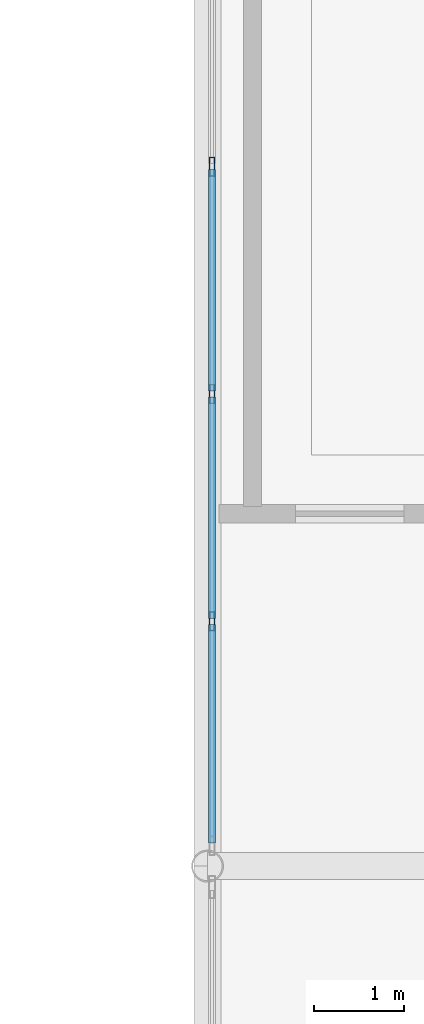
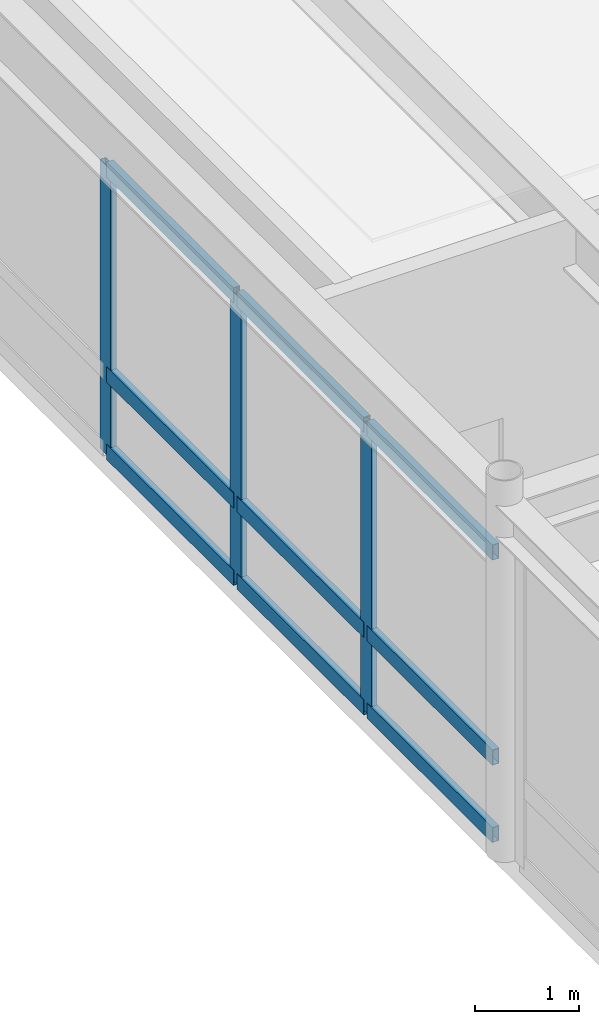
# One storey, part 74 of 127: 12 members, 1 element without a shape of its own.
"""IFC4 building model written with IfcOpenShell, lengths in metres."""

from ifc_helpers import new_model, si_unit, direction, frame, origin, origin_2d, place, context, subcontext, project, spatial, hollow_rectangle, extrude, material, layer, layer_set, material_profile, profile_set, type_object, element, aggregate, save


model = new_model("IFC4")

# Units and contexts
model_context = context("Model", 3, precision=1e-05, world=origin(), true_north=direction((0.0, 1.0)))
body_context = subcontext(model_context, "Body", "Model", "MODEL_VIEW")
ifc_project = project(units=[si_unit("LENGTHUNIT", "METRE"), si_unit("AREAUNIT", "SQUARE_METRE"), si_unit("VOLUMEUNIT", "CUBIC_METRE"), si_unit("PLANEANGLEUNIT", "RADIAN"), si_unit("MASSUNIT", "GRAM", prefix="KILO")], contexts=[model_context])

# Site, building, storey
site_placement = place(None, origin())
site = spatial("IfcSite", under=ifc_project, at=site_placement, CompositionType="ELEMENT")
building_placement = place(site_placement, origin())
building = spatial("IfcBuilding", under=site, at=building_placement, Name="Montelvaro Courts of Justice", CompositionType="ELEMENT")
storey_placement = place(building_placement, frame((0.0, 0.0, 5.39990234375)))
storey = spatial("IfcBuildingStorey", under=building, at=storey_placement, Name="L01", CompositionType="ELEMENT", Elevation=5.39990234375)

# Curtain wall, members
ifc_material = material(Name="Anodised aluminium EN AW-6063", Category="aluminium")
ifc_layer = layer(ifc_material, 0.159912109375)
ifc_layer_set = layer_set([ifc_layer], Name="Anodised aluminium EN AW-6063")
curtain_wall_type = type_object("IfcCurtainWallType", Name="CurtainWall_22_1761x418", PredefinedType="USERDEFINED", material=ifc_layer_set)
curtain_wall_placement = place(storey_placement, origin())
curtain_wall = element("IfcCurtainWall", 1, at=curtain_wall_placement, inside=storey, type_object=curtain_wall_type, Name="Curtain Wall CW-22 (L01)", ObjectType="CURTAIN WALL", PredefinedType="USERDEFINED")
ifc_material_profile_1 = material_profile(ifc_material, hollow_rectangle(XDim=0.06494140625, YDim=0.2099609375, WallThickness=0.0048828125, at=origin_2d()), Name="ALU-M 65x210")
ifc_profile_set_1 = profile_set([ifc_material_profile_1], Name="Anodised aluminium EN AW-6063")
member_type_1 = type_object("IfcMemberType", Name="CurtainWall_Mullion_65x210", PredefinedType="MULLION", material=ifc_profile_set_1)
member_1_placement = place(storey_placement, frame((99.050048828125, 85.741943359375, 0.0), z_axis=(0.0, 0.0, 1.0), x_axis=(1.0, 0.0, 0.0)))
member_1 = element("IfcMember", 2, at=member_1_placement, type_object=member_type_1, Name="CW-22 mullion 5", PredefinedType="MULLION", context=body_context, shape_type="SweptSolid", body=[
    extrude(hollow_rectangle(XDim=0.06494140625, YDim=0.2099609375, WallThickness=0.0048828125, at=origin_2d()), origin(), (0.0, 0.0, 1.0), 3.405029296875),
])
member_2_placement = place(storey_placement, frame((99.050048828125, 83.2255859375, 0.0), z_axis=(0.0, 0.0, 1.0), x_axis=(1.0, 0.0, 0.0)))
member_2 = element("IfcMember", 3, at=member_2_placement, type_object=member_type_1, Name="CW-22 mullion 6", PredefinedType="MULLION", context=body_context, shape_type="SweptSolid", body=[
    extrude(hollow_rectangle(XDim=0.06494140625, YDim=0.2099609375, WallThickness=0.0048828125, at=origin_2d()), origin(), (0.0, 0.0, 1.0), 3.405029296875),
])
member_3_placement = place(storey_placement, frame((99.050048828125, 80.709228515625, 0.0), z_axis=(0.0, 0.0, 1.0), x_axis=(1.0, 0.0, 0.0)))
member_3 = element("IfcMember", 4, at=member_3_placement, type_object=member_type_1, Name="CW-22 mullion 7", PredefinedType="MULLION", context=body_context, shape_type="SweptSolid", body=[
    extrude(hollow_rectangle(XDim=0.06494140625, YDim=0.2099609375, WallThickness=0.0048828125, at=origin_2d()), origin(), (0.0, 0.0, 1.0), 3.405029296875),
])
ifc_material_profile_2 = material_profile(ifc_material, hollow_rectangle(XDim=0.074951171875, YDim=0.179931640625, WallThickness=0.0048828125, at=origin_2d()), Name="ALU-T 75x180")
ifc_profile_set_2 = profile_set([ifc_material_profile_2], Name="Anodised aluminium EN AW-6063")
member_type_2 = type_object("IfcMemberType", Name="CurtainWall_Transom_75x180", PredefinedType="USERDEFINED", material=ifc_profile_set_2)
member_4_placement = place(storey_placement, frame((99.050048828125, 85.709228515625, 0.03759765625), z_axis=(0.0, -1.0, 0.0), x_axis=(1.0, 0.0, 0.0)))
member_4 = element("IfcMember", 5, at=member_4_placement, type_object=member_type_2, Name="CW-22 transom 5.1", ObjectType="TRANSOM", PredefinedType="USERDEFINED", context=body_context, shape_type="SweptSolid", body=[
    extrude(hollow_rectangle(XDim=0.074951171875, YDim=0.179931640625, WallThickness=0.0048828125, at=origin_2d()), origin(), (0.0, 0.0, 1.0), 2.451171875),
])
member_5_placement = place(storey_placement, frame((99.050048828125, 85.709228515625, 0.9501953125), z_axis=(0.0, -1.0, 0.0), x_axis=(1.0, 0.0, 0.0)))
member_5 = element("IfcMember", 6, at=member_5_placement, type_object=member_type_2, Name="CW-22 transom 5.2", ObjectType="TRANSOM", PredefinedType="USERDEFINED", context=body_context, shape_type="SweptSolid", body=[
    extrude(hollow_rectangle(XDim=0.074951171875, YDim=0.179931640625, WallThickness=0.0048828125, at=origin_2d()), origin(), (0.0, 0.0, 1.0), 2.451171875),
])
member_6_placement = place(storey_placement, frame((99.050048828125, 85.709228515625, 3.36767578125), z_axis=(0.0, -1.0, 0.0), x_axis=(1.0, 0.0, 0.0)))
member_6 = element("IfcMember", 7, at=member_6_placement, type_object=member_type_2, Name="CW-22 transom 5.3", ObjectType="TRANSOM", PredefinedType="USERDEFINED", context=body_context, shape_type="SweptSolid", body=[
    extrude(hollow_rectangle(XDim=0.074951171875, YDim=0.179931640625, WallThickness=0.0048828125, at=origin_2d()), origin(), (0.0, 0.0, 1.0), 2.451171875),
])
member_7_placement = place(storey_placement, frame((99.050048828125, 83.19287109375, 0.03759765625), z_axis=(0.0, -1.0, 0.0), x_axis=(1.0, 0.0, 0.0)))
member_7 = element("IfcMember", 8, at=member_7_placement, type_object=member_type_2, Name="CW-22 transom 6.1", ObjectType="TRANSOM", PredefinedType="USERDEFINED", context=body_context, shape_type="SweptSolid", body=[
    extrude(hollow_rectangle(XDim=0.074951171875, YDim=0.179931640625, WallThickness=0.0048828125, at=origin_2d()), origin(), (0.0, 0.0, 1.0), 2.451171875),
])
member_8_placement = place(storey_placement, frame((99.050048828125, 83.19287109375, 0.9501953125), z_axis=(0.0, -1.0, 0.0), x_axis=(1.0, 0.0, 0.0)))
member_8 = element("IfcMember", 9, at=member_8_placement, type_object=member_type_2, Name="CW-22 transom 6.2", ObjectType="TRANSOM", PredefinedType="USERDEFINED", context=body_context, shape_type="SweptSolid", body=[
    extrude(hollow_rectangle(XDim=0.074951171875, YDim=0.179931640625, WallThickness=0.0048828125, at=origin_2d()), origin(), (0.0, 0.0, 1.0), 2.451171875),
])
member_9_placement = place(storey_placement, frame((99.050048828125, 83.19287109375, 3.36767578125), z_axis=(0.0, -1.0, 0.0), x_axis=(1.0, 0.0, 0.0)))
member_9 = element("IfcMember", 10, at=member_9_placement, type_object=member_type_2, Name="CW-22 transom 6.3", ObjectType="TRANSOM", PredefinedType="USERDEFINED", context=body_context, shape_type="SweptSolid", body=[
    extrude(hollow_rectangle(XDim=0.074951171875, YDim=0.179931640625, WallThickness=0.0048828125, at=origin_2d()), origin(), (0.0, 0.0, 1.0), 2.451171875),
])
member_10_placement = place(storey_placement, frame((99.050048828125, 80.6767578125, 0.03759765625), z_axis=(0.0, -1.0, 0.0), x_axis=(1.0, 0.0, 0.0)))
member_10 = element("IfcMember", 11, at=member_10_placement, type_object=member_type_2, Name="CW-22 transom 7.1", ObjectType="TRANSOM", PredefinedType="USERDEFINED", context=body_context, shape_type="SweptSolid", body=[
    extrude(hollow_rectangle(XDim=0.074951171875, YDim=0.179931640625, WallThickness=0.0048828125, at=origin_2d()), origin(), (0.0, 0.0, 1.0), 2.4189453125),
])
member_11_placement = place(storey_placement, frame((99.050048828125, 80.6767578125, 0.9501953125), z_axis=(0.0, -1.0, 0.0), x_axis=(1.0, 0.0, 0.0)))
member_11 = element("IfcMember", 12, at=member_11_placement, type_object=member_type_2, Name="CW-22 transom 7.2", ObjectType="TRANSOM", PredefinedType="USERDEFINED", context=body_context, shape_type="SweptSolid", body=[
    extrude(hollow_rectangle(XDim=0.074951171875, YDim=0.179931640625, WallThickness=0.0048828125, at=origin_2d()), origin(), (0.0, 0.0, 1.0), 2.4189453125),
])
member_12_placement = place(storey_placement, frame((99.050048828125, 80.6767578125, 3.36767578125), z_axis=(0.0, -1.0, 0.0), x_axis=(1.0, 0.0, 0.0)))
member_12 = element("IfcMember", 13, at=member_12_placement, type_object=member_type_2, Name="CW-22 transom 7.3", ObjectType="TRANSOM", PredefinedType="USERDEFINED", context=body_context, shape_type="SweptSolid", body=[
    extrude(hollow_rectangle(XDim=0.074951171875, YDim=0.179931640625, WallThickness=0.0048828125, at=origin_2d()), origin(), (0.0, 0.0, 1.0), 2.4189453125),
])
aggregate(curtain_wall, [member_1, member_2, member_3, member_4, member_5, member_6, member_7, member_8, member_9, member_10, member_11, member_12])

save(model, "model.ifc")
